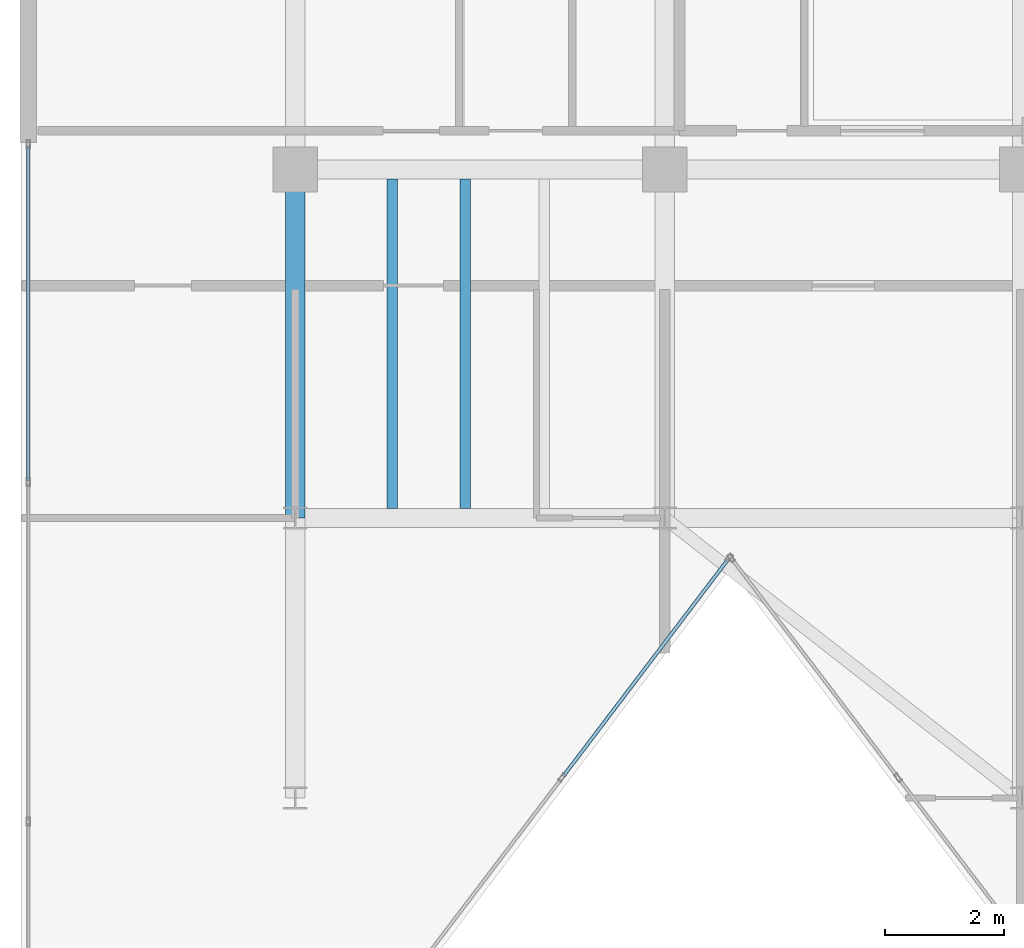
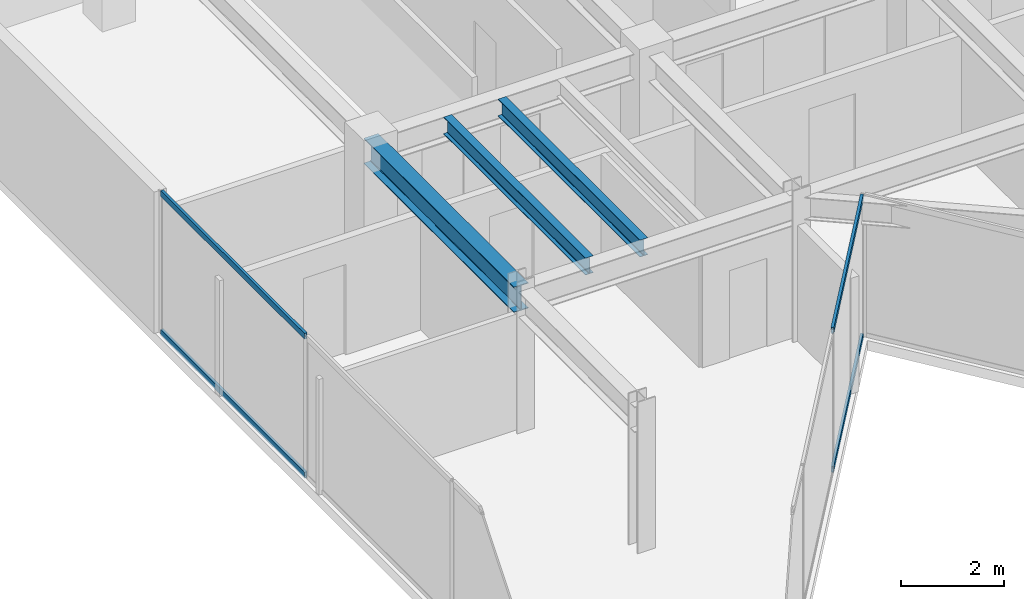
# One storey, part 5 of 16: 4 members, 3 beams, 2 elements without a shape of their own.
"""IFC4 building model written with IfcOpenShell, lengths in metres."""

from ifc_helpers import new_model, si_unit, direction, frame, origin, origin_2d, place, context, subcontext, project, spatial, hollow_rectangle, i_section, extrude, material, layer, layer_set, material_profile, profile_set, type_object, element, aggregate, save


model = new_model("IFC4")

# Units and contexts
model_context = context("Model", 3, precision=1e-05, world=origin(), true_north=direction((0.0, 1.0)))
body_context = subcontext(model_context, "Body", "Model", "MODEL_VIEW")
ifc_project = project(units=[si_unit("LENGTHUNIT", "METRE"), si_unit("AREAUNIT", "SQUARE_METRE"), si_unit("VOLUMEUNIT", "CUBIC_METRE"), si_unit("PLANEANGLEUNIT", "RADIAN"), si_unit("MASSUNIT", "GRAM", prefix="KILO")], contexts=[model_context])

# Site, building, storey
site_placement = place(None, origin())
site = spatial("IfcSite", under=ifc_project, at=site_placement, CompositionType="ELEMENT")
building_placement = place(site_placement, origin())
building = spatial("IfcBuilding", under=site, at=building_placement, Name="Kravanh Interchange Tower", CompositionType="ELEMENT")
storey_placement = place(building_placement, frame((0.0, 0.0, 300.300048828125)))
storey = spatial("IfcBuildingStorey", under=building, at=storey_placement, Name="L74", CompositionType="ELEMENT", Elevation=300.300048828125)

# Curtain wall, members
ifc_material_1 = material(Name="Anodised Bronze Aluminium", Category="aluminium")
ifc_layer = layer(ifc_material_1, 0.179931640625)
ifc_layer_set = layer_set([ifc_layer], Name="Unitised Curtain Wall System CW-HTL Luxury Hotel")
curtain_wall_type = type_object("IfcCurtainWallType", Name="Unitised Curtain Wall System CW-HTL Luxury Hotel", PredefinedType="NOTDEFINED", material=ifc_layer_set)
curtain_wall_1_placement = place(storey_placement, origin())
curtain_wall_1 = element("IfcCurtainWall", 1, at=curtain_wall_1_placement, inside=storey, type_object=curtain_wall_type, Name="L74 Unitised Curtain Wall CW-L74-01", PredefinedType="NOTDEFINED")
ifc_material_2 = material(Name="Anodised Bronze Aluminium", Category="aluminium")
ifc_material_profile_1 = material_profile(ifc_material_2, hollow_rectangle(XDim=0.06005859375, YDim=0.139892578125, WallThickness=0.00390625, at=origin_2d()), Name="ALU60X140X4")
ifc_profile_set_1 = profile_set([ifc_material_profile_1], Name="Anodised Bronze Aluminium")
member_type = type_object("IfcMemberType", Name="Curtain Wall Transom ALU60X140X4 Bronze", PredefinedType="USERDEFINED", material=ifc_profile_set_1)
member_1_placement = place(storey_placement, frame((34.1201171875, 32.1298828125, 0.030029296875), z_axis=(0.0, 1.0, 0.0), x_axis=(-1.0, 0.0, 0.0)))
member_1 = element("IfcMember", 2, at=member_1_placement, type_object=member_type, Name="CW-HTL transom 3.1", ObjectType="TRANSOM", PredefinedType="USERDEFINED", context=body_context, shape_type="SweptSolid", body=[
    extrude(hollow_rectangle(XDim=0.06005859375, YDim=0.139892578125, WallThickness=0.00390625, at=origin_2d()), origin(), (0.0, 0.0, 1.0), 5.610107421875),
])
member_2_placement = place(storey_placement, frame((34.1201171875, 32.1298828125, 3.3349609375), z_axis=(0.0, 1.0, 0.0), x_axis=(-1.0, 0.0, 0.0)))
member_2 = element("IfcMember", 3, at=member_2_placement, type_object=member_type, Name="CW-HTL transom 3.2", ObjectType="TRANSOM", PredefinedType="USERDEFINED", context=body_context, shape_type="SweptSolid", body=[
    extrude(hollow_rectangle(XDim=0.06005859375, YDim=0.139892578125, WallThickness=0.00390625, at=origin_2d()), origin(), (0.0, 0.0, 1.0), 5.610107421875),
])
aggregate(curtain_wall_1, [member_1, member_2])

curtain_wall_2_placement = place(storey_placement, origin())
curtain_wall_2 = element("IfcCurtainWall", 4, at=curtain_wall_2_placement, inside=storey, type_object=curtain_wall_type, Name="L74 Unitised Curtain Wall CW-L74-05", PredefinedType="NOTDEFINED")
member_3_placement = place(storey_placement, frame((45.86376953125, 30.80322265625, 0.030029296875), z_axis=(-0.605081913085, -0.796163223502, 0.0), x_axis=(0.796163223502, -0.605081913085, 0.0)))
member_3 = element("IfcMember", 5, at=member_3_placement, type_object=member_type, Name="CW-HTL transom 1.1", ObjectType="TRANSOM", PredefinedType="USERDEFINED", context=body_context, shape_type="SweptSolid", body=[
    extrude(hollow_rectangle(XDim=0.06005859375, YDim=0.139892578125, WallThickness=0.00390625, at=origin_2d()), origin(), (0.0, 0.0, 1.0), 4.5703125),
])
member_4_placement = place(storey_placement, frame((45.86376953125, 30.80322265625, 3.3349609375), z_axis=(-0.605081913085, -0.796163223502, 0.0), x_axis=(0.796163223502, -0.605081913085, 0.0)))
member_4 = element("IfcMember", 6, at=member_4_placement, type_object=member_type, Name="CW-HTL transom 1.2", ObjectType="TRANSOM", PredefinedType="USERDEFINED", context=body_context, shape_type="SweptSolid", body=[
    extrude(hollow_rectangle(XDim=0.06005859375, YDim=0.139892578125, WallThickness=0.00390625, at=origin_2d()), origin(), (0.0, 0.0, 1.0), 4.5703125),
])
aggregate(curtain_wall_2, [member_3, member_4])

# Beams
ifc_material_3 = material(Name="Structural Steel S355", Category="steel")
ifc_material_profile_2 = material_profile(ifc_material_3, i_section(OverallWidth=0.323974609375, OverallDepth=0.611083984375, WebThickness=0.0126953125, FlangeThickness=0.01904296875, FilletRadius=0.02197265625, at=origin_2d()), Name="W24X104")
ifc_profile_set_2 = profile_set([ifc_material_profile_2], Name="Structural Steel S355")
beam_type_1 = type_object("IfcBeamType", Name="Floor Beam W24X104 Structural Steel S355", PredefinedType="BEAM", material=ifc_profile_set_2)
beam_placement = place(storey_placement, frame((38.60009765625, 31.5, 3.0595703125), z_axis=(0.0, 1.0, 0.0), x_axis=(-1.0, 0.0, 0.0)))
element("IfcBeam", 7, at=beam_placement, inside=storey, type_object=beam_type_1, Name="L74 Primary Floor Girder 18", PredefinedType="BEAM", context=body_context, shape_type="SweptSolid", body=[
    extrude(i_section(OverallWidth=0.323974609375, OverallDepth=0.611083984375, WebThickness=0.0126953125, FlangeThickness=0.01904296875, FilletRadius=0.02197265625, at=origin_2d()), origin(), (0.0, 0.0, 1.0), 5.85009765625),
])
ifc_material_4 = material(Name="Structural Steel S355", Category="steel")
ifc_material_profile_3 = material_profile(ifc_material_4, i_section(OverallWidth=0.177978515625, OverallDepth=0.406005859375, WebThickness=0.0078125, FlangeThickness=0.0126953125, FilletRadius=0.01611328125, at=origin_2d()), Name="W16X40")
ifc_profile_set_3 = profile_set([ifc_material_profile_3], Name="Structural Steel S355")
beam_type_2 = type_object("IfcBeamType", Name="Floor Joist W16X40 Structural Steel S355", PredefinedType="JOIST", material=ifc_profile_set_3)
for number, where, z_axis, x_axis, name in (
    (8, (40.22998046875, 31.656982421875, 3.161865234375), (0.0, 1.0, 0.0), (-1.0, 0.0, 0.0), "L74 Secondary Floor Joist 10"),
    (9, (41.455078125, 31.656982421875, 3.161865234375), (0.0, 1.0, 0.0), (-1.0, 0.0, 0.0), "L74 Secondary Floor Joist 11"),
):
    element("IfcBeam", number, at=place(storey_placement, frame(where, z_axis=z_axis, x_axis=x_axis)), inside=storey, type_object=beam_type_2, Name=name, PredefinedType="JOIST", context=body_context, shape_type="SweptSolid", body=[
        extrude(i_section(OverallWidth=0.177978515625, OverallDepth=0.406005859375, WebThickness=0.0078125, FlangeThickness=0.0126953125, FilletRadius=0.01611328125, at=origin_2d()), origin(), (0.0, 0.0, 1.0), 5.5361328125),
    ])

save(model, "model.ifc")
